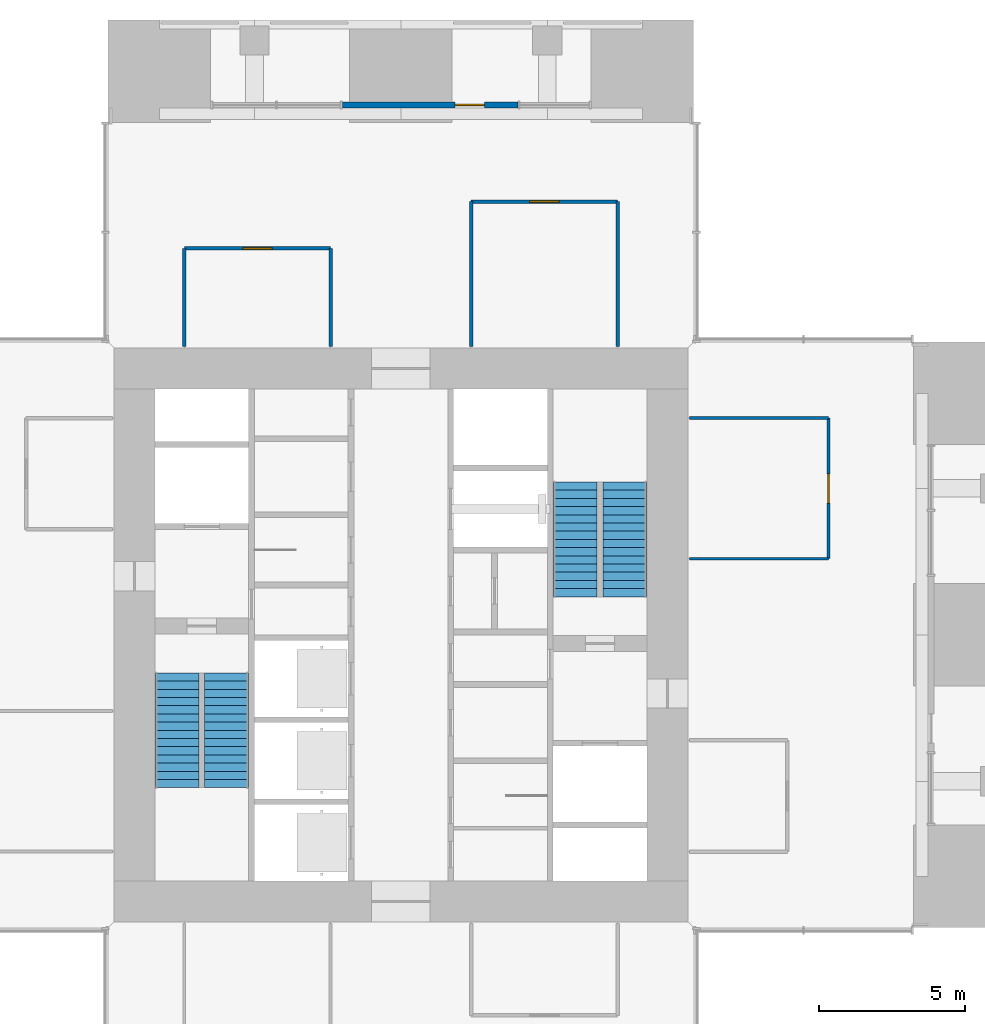
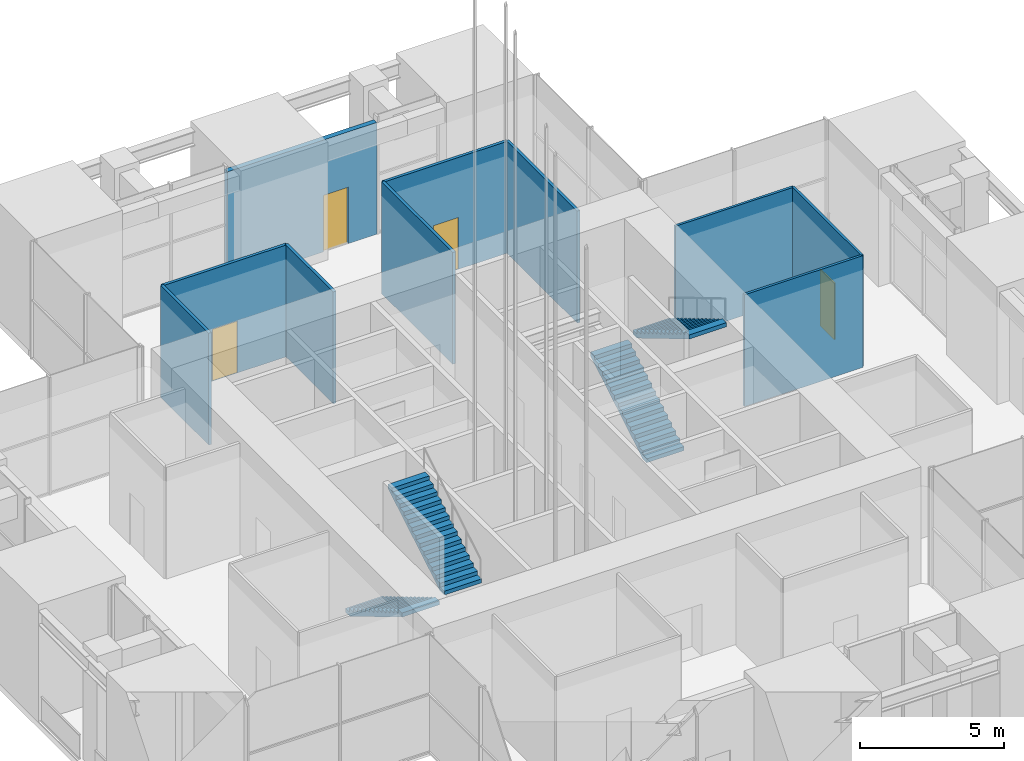
# One storey, part 7 of 17: 10 walls, 4 doors, 4 stair flights, 4 openings, 2 elements without a shape of their own.
"""IFC4 building model written with IfcOpenShell, lengths in metres."""

from ifc_helpers import new_model, si_unit, direction, frame, frame_2d, origin, place, context, subcontext, project, spatial, polyline, rectangle, outline, extrude, material, layer, layer_set, type_object, element, fill, aggregate, save


model = new_model("IFC4")

# Units and contexts
model_context = context("Model", 3, precision=1e-05, world=origin(), true_north=direction((0.0, 1.0)))
body_context = subcontext(model_context, "Body", "Model", "MODEL_VIEW")
ifc_project = project(units=[si_unit("LENGTHUNIT", "METRE"), si_unit("AREAUNIT", "SQUARE_METRE"), si_unit("VOLUMEUNIT", "CUBIC_METRE"), si_unit("PLANEANGLEUNIT", "RADIAN"), si_unit("MASSUNIT", "GRAM", prefix="KILO")], contexts=[model_context])

# Site, building, storey
site_placement = place(None, origin())
site = spatial("IfcSite", under=ifc_project, at=site_placement, CompositionType="ELEMENT")
building_placement = place(site_placement, origin())
building = spatial("IfcBuilding", under=site, at=building_placement, Name="Svetlomir Tower", CompositionType="ELEMENT")
storey_placement = place(building_placement, frame((0.0, 0.0, 165.5)))
storey = spatial("IfcBuildingStorey", under=building, at=storey_placement, Name="L39", CompositionType="ELEMENT", Elevation=165.5)

# Wall, opening, door
ifc_material_1 = material(Name="Bronze anodised aluminium glazed screen", Category="aluminium")
ifc_layer_1 = layer(ifc_material_1, 0.199951171875)
ifc_layer_set_1 = layer_set([ifc_layer_1], Name="Bronze anodised aluminium glazed screen")
wall_type_1 = type_object("IfcWallType", Name="BALCONY SCREEN WALL 200", PredefinedType="USERDEFINED", material=ifc_layer_set_1)
wall_1_placement = place(storey_placement, frame((25.0, 39.10009765625, 0.0), z_axis=(0.0, 0.0, 1.0), x_axis=(-1.0, 0.0, 0.0)))
wall_1 = element("IfcWall", 1, at=wall_1_placement, inside=storey, type_object=wall_type_1, Name="Balcony screen N", ObjectType="GLAZED SCREEN", PredefinedType="USERDEFINED", context=body_context, shape_type="SweptSolid", body=[
    extrude(rectangle(XDim=6.0, YDim=0.199951171875, at=frame_2d((3.0, 0.0))), origin(), (0.0, 0.0, 1.0), 4.75),
])
opening_1_placement = place(wall_1_placement, frame((1.14990234375, 0.0, 0.0)))
opening_1 = element("IfcOpeningElement", 2, at=opening_1_placement, cuts=wall_1, Name="Opening BD", PredefinedType="OPENING", context=body_context, shape_type="SweptSolid", body=[
    extrude(rectangle(XDim=1.0, YDim=2.39990234375, at=frame_2d((0.5, 1.199951171875))), frame((0.0, 0.10986328125, 0.0), z_axis=(0.0, -1.0, 0.0), x_axis=(1.0, 0.0, 0.0)), (0.0, 0.0, 1.0), 0.219970703125),
])
ifc_material_2 = material(Name="Bronze anodised aluminium glazed door", Category="aluminium")
door_type_1 = type_object("IfcDoorType", Name="BALCONY DOOR BD 1000x2400", OperationType="SINGLE_SWING_LEFT", PredefinedType="DOOR", material=ifc_material_2)
door_1_placement = place(opening_1_placement, origin())
door_1 = element("IfcDoor", 3, at=door_1_placement, inside=storey, type_object=door_type_1, Name="Balcony screen N door", OperationType="SINGLE_SWING_LEFT", OverallHeight=2.39990234375, OverallWidth=1.0, PredefinedType="DOOR", context=body_context, shape_type="SweptSolid", body=[
    extrude(rectangle(XDim=1.0, YDim=2.39990234375, at=frame_2d((0.5, 1.199951171875))), frame((0.0, 0.02490234375, 0.0), z_axis=(0.0, -1.0, 0.0), x_axis=(1.0, 0.0, 0.0)), (0.0, 0.0, 1.0), 0.050048828125),
])
fill(opening_1, door_1)

# Walls
ifc_material_3 = material(Name="Framed laminated glass partition", Category="glass")
ifc_layer_2 = layer(ifc_material_3, 0.10009765625)
ifc_layer_set_2 = layer_set([ifc_layer_2], Name="Framed laminated glass partition")
wall_type_2 = type_object("IfcWallType", Name="GLAZED PARTITION 100", PredefinedType="PARTITIONING", material=ifc_layer_set_2)
for number, where, z_axis, x_axis, name in (
    (4, (30.85009765625, 23.60009765625, 0.0), (0.0, 0.0, 1.0), (1.0, 0.0, 0.0), "Glazed partition L39"),
    (5, (30.85009765625, 28.39990234375, 0.0), (0.0, 0.0, 1.0), (1.0, 0.0, 0.0), "Glazed partition L39"),
):
    element("IfcWall", number, at=place(storey_placement, frame(where, z_axis=z_axis, x_axis=x_axis)), inside=storey, type_object=wall_type_2, Name=name, PredefinedType="PARTITIONING", context=body_context, shape_type="SweptSolid", body=[
        extrude(rectangle(XDim=4.75, YDim=0.10009765625, at=frame_2d((2.375, 0.0))), origin(), (0.0, 0.0, 1.0), 4.75),
    ])

# Wall, opening, door
wall_2_placement = place(storey_placement, frame((35.60009765625, 23.60009765625, 0.0), z_axis=(0.0, 0.0, 1.0), x_axis=(0.0, 1.0, 0.0)))
wall_2 = element("IfcWall", 6, at=wall_2_placement, inside=storey, type_object=wall_type_2, Name="Glazed partition L39", PredefinedType="PARTITIONING", context=body_context, shape_type="SweptSolid", body=[
    extrude(rectangle(XDim=4.7998046875, YDim=0.10009765625, at=frame_2d((2.39990234375, 0.0))), origin(), (0.0, 0.0, 1.0), 4.75),
])
opening_2_placement = place(wall_2_placement, frame((1.89990234375, 0.0, 0.0)))
opening_2 = element("IfcOpeningElement", 7, at=opening_2_placement, cuts=wall_2, Name="Opening DG", PredefinedType="OPENING", context=body_context, shape_type="SweptSolid", body=[
    extrude(rectangle(XDim=1.0, YDim=2.39990234375, at=frame_2d((0.5, 1.199951171875))), frame((0.0, 0.06005859375, 0.0), z_axis=(0.0, -1.0, 0.0), x_axis=(1.0, 0.0, 0.0)), (0.0, 0.0, 1.0), 0.1201171875),
])
ifc_material_4 = material(Name="Framed laminated glass door", Category="glass")
door_type_2 = type_object("IfcDoorType", Name="GLAZED DOOR DG 1000x2400", OperationType="SINGLE_SWING_LEFT", PredefinedType="DOOR", material=ifc_material_4)
door_2_placement = place(opening_2_placement, origin())
door_2 = element("IfcDoor", 8, at=door_2_placement, inside=storey, type_object=door_type_2, Name="Sky cafe servery door L39", OperationType="SINGLE_SWING_RIGHT", OverallHeight=2.39990234375, OverallWidth=1.0, PredefinedType="DOOR", context=body_context, shape_type="SweptSolid", body=[
    extrude(rectangle(XDim=1.0, YDim=2.39990234375, at=frame_2d((0.5, 1.199951171875))), frame((0.0, 0.02490234375, 0.0), z_axis=(0.0, -1.0, 0.0), x_axis=(1.0, 0.0, 0.0)), (0.0, 0.0, 1.0), 0.050048828125),
])
fill(opening_2, door_2)

# Wall
ifc_material_5 = material(Name="Gypsum board on steel studs", Category="steel")
ifc_layer_3 = layer(ifc_material_5, 0.1201171875)
ifc_layer_set_3 = layer_set([ifc_layer_3], Name="Gypsum board on steel studs")
wall_type_3 = type_object("IfcWallType", Name="PARTITION 120", PredefinedType="PARTITIONING", material=ifc_layer_set_3)
wall_3_placement = place(storey_placement, frame((13.60009765625, 30.85009765625, 0.0), z_axis=(0.0, 0.0, 1.0), x_axis=(0.0, 1.0, 0.0)))
element("IfcWall", 9, at=wall_3_placement, inside=storey, type_object=wall_type_3, Name="Partition L39", PredefinedType="PARTITIONING", context=body_context, shape_type="SweptSolid", body=[
    extrude(rectangle(XDim=3.349853515625, YDim=0.1201171875, at=frame_2d((1.6748046875, 0.0))), origin(), (0.0, 0.0, 1.0), 4.75),
])

# Wall, opening, door
wall_4_placement = place(storey_placement, frame((13.60009765625, 34.199951171875, 0.0), z_axis=(0.0, 0.0, 1.0), x_axis=(1.0, 0.0, 0.0)))
wall_4 = element("IfcWall", 10, at=wall_4_placement, inside=storey, type_object=wall_type_3, Name="Partition L39", PredefinedType="PARTITIONING", context=body_context, shape_type="SweptSolid", body=[
    extrude(rectangle(XDim=5.0, YDim=0.1201171875, at=frame_2d((2.5, 0.0))), origin(), (0.0, 0.0, 1.0), 4.75),
])
opening_3_placement = place(wall_4_placement, frame((2.0, 0.0, 0.0)))
opening_3 = element("IfcOpeningElement", 11, at=opening_3_placement, cuts=wall_4, Name="Opening DR", PredefinedType="OPENING", context=body_context, shape_type="SweptSolid", body=[
    extrude(rectangle(XDim=1.0, YDim=2.199951171875, at=frame_2d((0.5, 1.10009765625))), frame((0.0, 0.070068359375, 0.0), z_axis=(0.0, -1.0, 0.0), x_axis=(1.0, 0.0, 0.0)), (0.0, 0.0, 1.0), 0.14013671875),
])
ifc_material_6 = material(Name="Timber door, glazed side light", Category="wood")
door_type_3 = type_object("IfcDoorType", Name="DOOR DR 1000x2200", OperationType="SINGLE_SWING_LEFT", PredefinedType="DOOR", material=ifc_material_6)
door_3_placement = place(opening_3_placement, origin())
door_3 = element("IfcDoor", 12, at=door_3_placement, inside=storey, type_object=door_type_3, Name="Shower and changing room door L39", OperationType="SINGLE_SWING_LEFT", OverallHeight=2.199951171875, OverallWidth=1.0, PredefinedType="DOOR", context=body_context, shape_type="SweptSolid", body=[
    extrude(rectangle(XDim=1.0, YDim=2.199951171875, at=frame_2d((0.5, 1.10009765625))), frame((0.0, 0.02490234375, 0.0), z_axis=(0.0, -1.0, 0.0), x_axis=(1.0, 0.0, 0.0)), (0.0, 0.0, 1.0), 0.050048828125),
])
fill(opening_3, door_3)

# Walls
wall_5_placement = place(storey_placement, frame((18.60009765625, 30.85009765625, 0.0), z_axis=(0.0, 0.0, 1.0), x_axis=(0.0, 1.0, 0.0)))
element("IfcWall", 13, at=wall_5_placement, inside=storey, type_object=wall_type_3, Name="Partition L39", PredefinedType="PARTITIONING", context=body_context, shape_type="SweptSolid", body=[
    extrude(rectangle(XDim=3.349853515625, YDim=0.1201171875, at=frame_2d((1.6748046875, 0.0))), origin(), (0.0, 0.0, 1.0), 4.75),
])
wall_6_placement = place(storey_placement, frame((23.39990234375, 30.85009765625, 0.0), z_axis=(0.0, 0.0, 1.0), x_axis=(0.0, 1.0, 0.0)))
element("IfcWall", 14, at=wall_6_placement, inside=storey, type_object=wall_type_3, Name="Partition L39", PredefinedType="PARTITIONING", context=body_context, shape_type="SweptSolid", body=[
    extrude(rectangle(XDim=4.949951171875, YDim=0.1201171875, at=frame_2d((2.47509765625, 0.0))), origin(), (0.0, 0.0, 1.0), 4.75),
])

# Wall, opening, door
wall_7_placement = place(storey_placement, frame((23.39990234375, 35.800048828125, 0.0), z_axis=(0.0, 0.0, 1.0), x_axis=(1.0, 0.0, 0.0)))
wall_7 = element("IfcWall", 15, at=wall_7_placement, inside=storey, type_object=wall_type_3, Name="Partition L39", PredefinedType="PARTITIONING", context=body_context, shape_type="SweptSolid", body=[
    extrude(rectangle(XDim=5.0, YDim=0.1201171875, at=frame_2d((2.5, 0.0))), origin(), (0.0, 0.0, 1.0), 4.75),
])
opening_4_placement = place(wall_7_placement, frame((2.0, 0.0, 0.0)))
opening_4 = element("IfcOpeningElement", 16, at=opening_4_placement, cuts=wall_7, Name="Opening DR", PredefinedType="OPENING", context=body_context, shape_type="SweptSolid", body=[
    extrude(rectangle(XDim=1.0, YDim=2.199951171875, at=frame_2d((0.5, 1.10009765625))), frame((0.0, 0.070068359375, 0.0), z_axis=(0.0, -1.0, 0.0), x_axis=(1.0, 0.0, 0.0)), (0.0, 0.0, 1.0), 0.14013671875),
])
door_4_placement = place(opening_4_placement, origin())
door_4 = element("IfcDoor", 17, at=door_4_placement, inside=storey, type_object=door_type_3, Name="Fitness studio door L39", OperationType="SINGLE_SWING_RIGHT", OverallHeight=2.199951171875, OverallWidth=1.0, PredefinedType="DOOR", context=body_context, shape_type="SweptSolid", body=[
    extrude(rectangle(XDim=1.0, YDim=2.199951171875, at=frame_2d((0.5, 1.10009765625))), frame((0.0, 0.02490234375, 0.0), z_axis=(0.0, -1.0, 0.0), x_axis=(1.0, 0.0, 0.0)), (0.0, 0.0, 1.0), 0.050048828125),
])
fill(opening_4, door_4)

# Wall
wall_8_placement = place(storey_placement, frame((28.39990234375, 30.85009765625, 0.0), z_axis=(0.0, 0.0, 1.0), x_axis=(0.0, 1.0, 0.0)))
element("IfcWall", 18, at=wall_8_placement, inside=storey, type_object=wall_type_3, Name="Partition L39", PredefinedType="PARTITIONING", context=body_context, shape_type="SweptSolid", body=[
    extrude(rectangle(XDim=4.949951171875, YDim=0.1201171875, at=frame_2d((2.47509765625, 0.0))), origin(), (0.0, 0.0, 1.0), 4.75),
])

# Stair, stair flights
ifc_material_7 = material(Name="Concrete C60/75", Category="concrete")
stair_type = type_object("IfcStairType", Name="EXIT STAIR 3200 RISE 5000", PredefinedType="HALF_TURN_STAIR", material=ifc_material_7)
stair_1_placement = place(storey_placement, origin())
stair_1 = element("IfcStair", 19, at=stair_1_placement, inside=storey, type_object=stair_type, Name="Stair S1 L39 to L40", PredefinedType="HALF_TURN_STAIR")
ifc_material_8 = material(Name="Concrete C60/75", Category="concrete")
stair_flight_type = type_object("IfcStairFlightType", Name="STAIR FLIGHT 1500 OF 15 RISERS", PredefinedType="STRAIGHT", material=ifc_material_8)
stair_flight_1_placement = place(storey_placement, frame((13.35009765625, 19.699951171875, 0.0), z_axis=(0.0, 0.0, 1.0), x_axis=(0.0, -1.0, 0.0)))
stair_flight_1 = element("IfcStairFlight", 20, at=stair_flight_1_placement, type_object=stair_flight_type, Name="S1 flight 1", NumberOfRisers=15, NumberOfTreads=14, PredefinedType="STRAIGHT", RiserHeight=0.166666667, TreadLength=0.28, context=body_context, shape_type="SweptSolid", body=[
    extrude(outline(polyline([(0.0, 0.0), (0.0, 0.166748046875), (0.280029296875, 0.166748046875), (0.280029296875, 0.333251953125), (0.56005859375, 0.333251953125), (0.56005859375, 0.5), (0.840087890625, 0.5), (0.840087890625, 0.666748046875), (1.1201171875, 0.666748046875), (1.1201171875, 0.833251953125), (1.39990234375, 0.833251953125), (1.39990234375, 1.0), (1.679931640625, 1.0), (1.679931640625, 1.166748046875), (1.9599609375, 1.166748046875), (1.9599609375, 1.333251953125), (2.239990234375, 1.333251953125), (2.239990234375, 1.5), (2.52001953125, 1.5), (2.52001953125, 1.666748046875), (2.800048828125, 1.666748046875), (2.800048828125, 1.833251953125), (3.080078125, 1.833251953125), (3.080078125, 2.0), (3.360107421875, 2.0), (3.360107421875, 2.166748046875), (3.639892578125, 2.166748046875), (3.639892578125, 2.333251953125), (3.919921875, 2.333251953125), (3.919921875, 2.5), (3.919921875, 2.158935546875), (0.29296875, 0.0), (0.0, 0.0)])), frame((0.0, 0.75, 0.0), z_axis=(0.0, -1.0, 0.0), x_axis=(1.0, 0.0, 0.0)), (0.0, 0.0, 1.0), 1.5),
])
stair_flight_2_placement = place(storey_placement, frame((15.050048828125, 15.780029296875, 2.5), z_axis=(0.0, 0.0, 1.0), x_axis=(0.0, 1.0, 0.0)))
stair_flight_2 = element("IfcStairFlight", 21, at=stair_flight_2_placement, type_object=stair_flight_type, Name="S1 flight 2", NumberOfRisers=15, NumberOfTreads=14, PredefinedType="STRAIGHT", RiserHeight=0.166666667, TreadLength=0.28, context=body_context, shape_type="SweptSolid", body=[
    extrude(outline(polyline([(0.0, 0.0), (0.0, 0.166748046875), (0.280029296875, 0.166748046875), (0.280029296875, 0.333251953125), (0.56005859375, 0.333251953125), (0.56005859375, 0.5), (0.840087890625, 0.5), (0.840087890625, 0.666748046875), (1.1201171875, 0.666748046875), (1.1201171875, 0.833251953125), (1.39990234375, 0.833251953125), (1.39990234375, 1.0), (1.679931640625, 1.0), (1.679931640625, 1.166748046875), (1.9599609375, 1.166748046875), (1.9599609375, 1.333251953125), (2.239990234375, 1.333251953125), (2.239990234375, 1.5), (2.52001953125, 1.5), (2.52001953125, 1.666748046875), (2.800048828125, 1.666748046875), (2.800048828125, 1.833251953125), (3.080078125, 1.833251953125), (3.080078125, 2.0), (3.360107421875, 2.0), (3.360107421875, 2.166748046875), (3.639892578125, 2.166748046875), (3.639892578125, 2.333251953125), (3.919921875, 2.333251953125), (3.919921875, 2.5), (3.919921875, 2.158935546875), (0.29296875, 0.0), (0.0, 0.0)])), frame((0.0, 0.75, 0.0), z_axis=(0.0, -1.0, 0.0), x_axis=(1.0, 0.0, 0.0)), (0.0, 0.0, 1.0), 1.5),
])
aggregate(stair_1, [stair_flight_1, stair_flight_2])

stair_2_placement = place(storey_placement, origin())
stair_2 = element("IfcStair", 22, at=stair_2_placement, inside=storey, type_object=stair_type, Name="Stair S2 L39 to L40", PredefinedType="HALF_TURN_STAIR")
stair_flight_3_placement = place(storey_placement, frame((26.949951171875, 22.300048828125, 0.0), z_axis=(0.0, 0.0, 1.0), x_axis=(0.0, 1.0, 0.0)))
stair_flight_3 = element("IfcStairFlight", 23, at=stair_flight_3_placement, type_object=stair_flight_type, Name="S2 flight 1", NumberOfRisers=15, NumberOfTreads=14, PredefinedType="STRAIGHT", RiserHeight=0.166666667, TreadLength=0.28, context=body_context, shape_type="SweptSolid", body=[
    extrude(outline(polyline([(0.0, 0.0), (0.0, 0.166748046875), (0.280029296875, 0.166748046875), (0.280029296875, 0.333251953125), (0.56005859375, 0.333251953125), (0.56005859375, 0.5), (0.840087890625, 0.5), (0.840087890625, 0.666748046875), (1.1201171875, 0.666748046875), (1.1201171875, 0.833251953125), (1.39990234375, 0.833251953125), (1.39990234375, 1.0), (1.679931640625, 1.0), (1.679931640625, 1.166748046875), (1.9599609375, 1.166748046875), (1.9599609375, 1.333251953125), (2.239990234375, 1.333251953125), (2.239990234375, 1.5), (2.52001953125, 1.5), (2.52001953125, 1.666748046875), (2.800048828125, 1.666748046875), (2.800048828125, 1.833251953125), (3.080078125, 1.833251953125), (3.080078125, 2.0), (3.360107421875, 2.0), (3.360107421875, 2.166748046875), (3.639892578125, 2.166748046875), (3.639892578125, 2.333251953125), (3.919921875, 2.333251953125), (3.919921875, 2.5), (3.919921875, 2.158935546875), (0.29296875, 0.0), (0.0, 0.0)])), frame((0.0, 0.75, 0.0), z_axis=(0.0, -1.0, 0.0), x_axis=(1.0, 0.0, 0.0)), (0.0, 0.0, 1.0), 1.5),
])
stair_flight_4_placement = place(storey_placement, frame((28.64990234375, 26.219970703125, 2.5), z_axis=(0.0, 0.0, 1.0), x_axis=(0.0, -1.0, 0.0)))
stair_flight_4 = element("IfcStairFlight", 24, at=stair_flight_4_placement, type_object=stair_flight_type, Name="S2 flight 2", NumberOfRisers=15, NumberOfTreads=14, PredefinedType="STRAIGHT", RiserHeight=0.166666667, TreadLength=0.28, context=body_context, shape_type="SweptSolid", body=[
    extrude(outline(polyline([(0.0, 0.0), (0.0, 0.166748046875), (0.280029296875, 0.166748046875), (0.280029296875, 0.333251953125), (0.56005859375, 0.333251953125), (0.56005859375, 0.5), (0.840087890625, 0.5), (0.840087890625, 0.666748046875), (1.1201171875, 0.666748046875), (1.1201171875, 0.833251953125), (1.39990234375, 0.833251953125), (1.39990234375, 1.0), (1.679931640625, 1.0), (1.679931640625, 1.166748046875), (1.9599609375, 1.166748046875), (1.9599609375, 1.333251953125), (2.239990234375, 1.333251953125), (2.239990234375, 1.5), (2.52001953125, 1.5), (2.52001953125, 1.666748046875), (2.800048828125, 1.666748046875), (2.800048828125, 1.833251953125), (3.080078125, 1.833251953125), (3.080078125, 2.0), (3.360107421875, 2.0), (3.360107421875, 2.166748046875), (3.639892578125, 2.166748046875), (3.639892578125, 2.333251953125), (3.919921875, 2.333251953125), (3.919921875, 2.5), (3.919921875, 2.158935546875), (0.29296875, 0.0), (0.0, 0.0)])), frame((0.0, 0.75, 0.0), z_axis=(0.0, -1.0, 0.0), x_axis=(1.0, 0.0, 0.0)), (0.0, 0.0, 1.0), 1.5),
])
aggregate(stair_2, [stair_flight_3, stair_flight_4])

save(model, "model.ifc")
